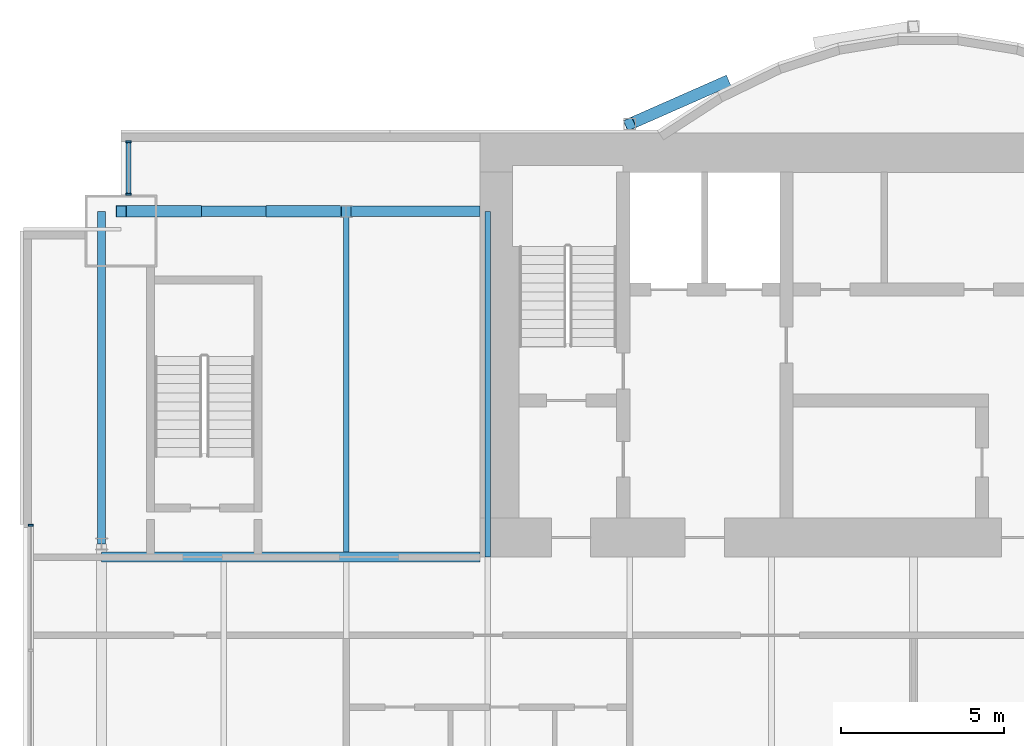
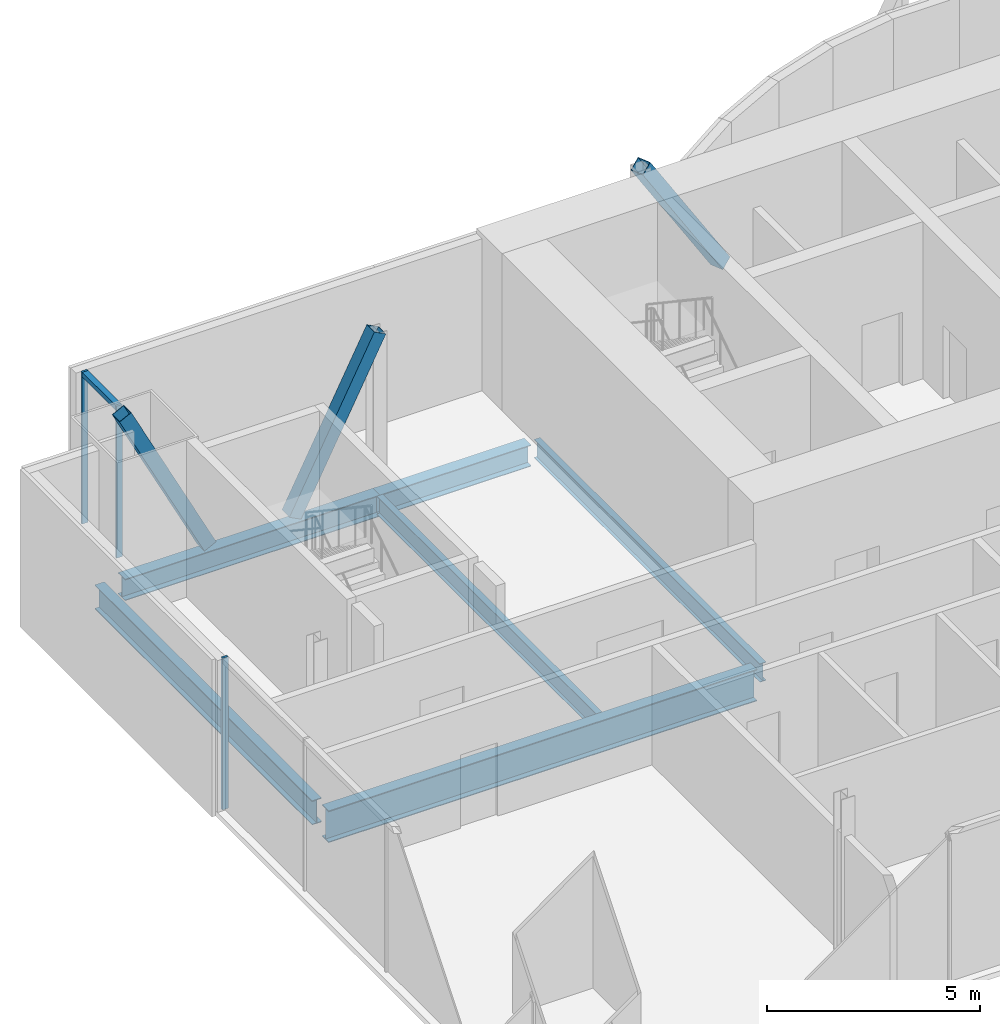
# One storey, part 7 of 18: 7 members, 6 beams, 2 elements without a shape of their own.
"""IFC4 building model written with IfcOpenShell, lengths in metres."""

from ifc_helpers import new_model, si_unit, direction, frame, origin, origin_2d, place, context, subcontext, project, spatial, rectangle, hollow_rectangle, i_section, extrude, material, material_profile, profile_set, type_object, element, aggregate, save


model = new_model("IFC4")

# Units and contexts
model_context = context("Model", 3, precision=1e-05, world=origin(), true_north=direction((0.0, 1.0)))
body_context = subcontext(model_context, "Body", "Model", "MODEL_VIEW")
ifc_project = project(units=[si_unit("LENGTHUNIT", "METRE"), si_unit("AREAUNIT", "SQUARE_METRE"), si_unit("VOLUMEUNIT", "CUBIC_METRE"), si_unit("PLANEANGLEUNIT", "RADIAN"), si_unit("MASSUNIT", "GRAM", prefix="KILO")], contexts=[model_context])

# Site, building, storey
site_placement = place(None, origin())
site = spatial("IfcSite", under=ifc_project, at=site_placement, CompositionType="ELEMENT")
building_placement = place(site_placement, origin())
building = spatial("IfcBuilding", under=site, at=building_placement, Name="Bicima Exchange Tower", CompositionType="ELEMENT")
storey_placement = place(building_placement, frame((0.0, 0.0, 302.0)))
storey = spatial("IfcBuildingStorey", under=building, at=storey_placement, Name="L68", CompositionType="ELEMENT", Elevation=302.0)

# Beam
ifc_material_1 = material(Name="Steel ASTM A992 Gr 50", Category="steel")
ifc_material_profile_1 = material_profile(ifc_material_1, i_section(OverallWidth=0.3046875, OverallDepth=0.911865234375, WebThickness=0.015869140625, FlangeThickness=0.02392578125, at=origin_2d()))
ifc_profile_set_1 = profile_set([ifc_material_profile_1], Name="Steel ASTM A992 Gr 50")
beam_type_1 = type_object("IfcBeamType", Name="Core-line girder W36x150", PredefinedType="BEAM", material=ifc_profile_set_1)
beam_1_placement = place(storey_placement, frame((-22.0, -13.0, -0.60595703125), z_axis=(-1.0, 0.0, 0.0), x_axis=(0.0, -1.0, 0.0)))
element("IfcBeam", 1, at=beam_1_placement, inside=storey, type_object=beam_type_1, Name="Core-line girder", PredefinedType="BEAM", context=body_context, shape_type="SweptSolid", body=[
    extrude(i_section(OverallWidth=0.3046875, OverallDepth=0.911865234375, WebThickness=0.015869140625, FlangeThickness=0.02392578125, at=origin_2d()), origin(), (0.0, 0.0, 1.0), 11.60009765625),
])

# Curtain wall, member
ifc_material_2 = material(Name="Anodised bronze aluminium", Category="aluminium")
curtain_wall_type_1 = type_object("IfcCurtainWallType", Name="End face glass wall", PredefinedType="NOTDEFINED", material=ifc_material_2)
curtain_wall_1_placement = place(storey_placement, origin())
curtain_wall_1 = element("IfcCurtainWall", 2, at=curtain_wall_1_placement, inside=storey, type_object=curtain_wall_type_1, Name="End face glass wall L68 run 2", PredefinedType="NOTDEFINED")
ifc_material_profile_2 = material_profile(ifc_material_2, rectangle(XDim=0.159912109375, YDim=0.06005859375, at=origin_2d()))
ifc_profile_set_2 = profile_set([ifc_material_profile_2], Name="Anodised bronze aluminium")
member_type_1 = type_object("IfcMemberType", Name="End face glass wall mullion 60 x 160", PredefinedType="MULLION", material=ifc_profile_set_2)
member_1_placement = place(storey_placement, frame((-35.77001953125, -12.030029296875, 0.0), z_axis=(0.0, 0.0, 1.0), x_axis=(1.0, 0.0, 0.0)))
member_1 = element("IfcMember", 3, at=member_1_placement, type_object=member_type_1, Name="End face glass wall mullion 1", PredefinedType="MULLION", context=body_context, shape_type="SweptSolid", body=[
    extrude(rectangle(XDim=0.159912109375, YDim=0.06005859375, at=origin_2d()), origin(), (0.0, 0.0, 1.0), 4.35009765625),
])
aggregate(curtain_wall_1, [member_1])

# Beams
ifc_material_profile_3 = material_profile(ifc_material_1, i_section(OverallWidth=0.256591796875, OverallDepth=0.693359375, WebThickness=0.014404296875, FlangeThickness=0.023681640625, at=origin_2d()))
ifc_profile_set_3 = profile_set([ifc_material_profile_3], Name="Steel ASTM A992 Gr 50")
beam_type_2 = type_object("IfcBeamType", Name="End girder W27x114", PredefinedType="BEAM", material=ifc_profile_set_3)
beam_2_placement = place(storey_placement, frame((-33.60009765625, -2.39990234375, -0.49658203125), z_axis=(0.0, -1.0, 0.0), x_axis=(1.0, 0.0, 0.0)))
element("IfcBeam", 4, at=beam_2_placement, inside=storey, type_object=beam_type_2, Name="End girder", PredefinedType="BEAM", context=body_context, shape_type="SweptSolid", body=[
    extrude(i_section(OverallWidth=0.256591796875, OverallDepth=0.693359375, WebThickness=0.014404296875, FlangeThickness=0.023681640625, at=origin_2d()), origin(), (0.0, 0.0, 1.0), 10.2001953125),
])
ifc_material_profile_4 = material_profile(ifc_material_1, i_section(OverallWidth=0.165771484375, OverallDepth=0.5283203125, WebThickness=0.009765625, FlangeThickness=0.013671875, at=origin_2d()))
ifc_profile_set_4 = profile_set([ifc_material_profile_4], Name="Steel ASTM A992 Gr 50")
beam_type_3 = type_object("IfcBeamType", Name="Floor beam W21x50", PredefinedType="JOIST", material=ifc_profile_set_4)
beam_3_placement = place(storey_placement, frame((-26.10009765625, -2.5625, -0.414306640625), z_axis=(0.0, -1.0, 0.0), x_axis=(1.0, 0.0, 0.0)))
element("IfcBeam", 5, at=beam_3_placement, inside=storey, type_object=beam_type_3, Name="Floor beam", PredefinedType="JOIST", context=body_context, shape_type="SweptSolid", body=[
    extrude(i_section(OverallWidth=0.165771484375, OverallDepth=0.5283203125, WebThickness=0.009765625, FlangeThickness=0.013671875, at=origin_2d()), origin(), (0.0, 0.0, 1.0), 10.28515625),
])
beam_4_placement = place(storey_placement, frame((-21.75, -2.39990234375, -0.414306640625), z_axis=(0.0, -1.0, 0.0), x_axis=(1.0, 0.0, 0.0)))
element("IfcBeam", 6, at=beam_4_placement, inside=storey, type_object=beam_type_3, Name="Floor beam", PredefinedType="JOIST", context=body_context, shape_type="SweptSolid", body=[
    extrude(i_section(OverallWidth=0.165771484375, OverallDepth=0.5283203125, WebThickness=0.009765625, FlangeThickness=0.013671875, at=origin_2d()), origin(), (0.0, 0.0, 1.0), 10.60009765625),
])

# Curtain wall, members
curtain_wall_type_2 = type_object("IfcCurtainWallType", Name="Front glass wall", PredefinedType="NOTDEFINED", material=ifc_material_2)
curtain_wall_2_placement = place(storey_placement, origin())
curtain_wall_2 = element("IfcCurtainWall", 7, at=curtain_wall_2_placement, inside=storey, type_object=curtain_wall_type_2, Name="Front glass wall L68 run 1", PredefinedType="NOTDEFINED")
member_type_2 = type_object("IfcMemberType", Name="Front glass wall mullion 60 x 160", PredefinedType="MULLION", material=ifc_profile_set_2)
member_2_placement = place(storey_placement, frame((-32.77001953125, -0.260009765625, 0.0), z_axis=(0.0, 0.0, 1.0), x_axis=(1.0, 0.0, 0.0)))
member_2 = element("IfcMember", 8, at=member_2_placement, type_object=member_type_2, Name="Front glass wall mullion 1", PredefinedType="MULLION", context=body_context, shape_type="SweptSolid", body=[
    extrude(rectangle(XDim=0.159912109375, YDim=0.06005859375, at=origin_2d()), origin(), (0.0, 0.0, 1.0), 4.35009765625),
])
member_3_placement = place(storey_placement, frame((-32.77001953125, -1.8701171875, 0.0), z_axis=(0.0, 0.0, 1.0), x_axis=(1.0, 0.0, 0.0)))
member_3 = element("IfcMember", 9, at=member_3_placement, type_object=member_type_2, Name="Front glass wall mullion 2", PredefinedType="MULLION", context=body_context, shape_type="SweptSolid", body=[
    extrude(rectangle(XDim=0.159912109375, YDim=0.06005859375, at=origin_2d()), origin(), (0.0, 0.0, 1.0), 4.35009765625),
])
ifc_material_profile_5 = material_profile(ifc_material_2, rectangle(XDim=0.159912109375, YDim=0.139892578125, at=origin_2d()))
ifc_profile_set_5 = profile_set([ifc_material_profile_5], Name="Anodised bronze aluminium")
member_type_3 = type_object("IfcMemberType", Name="Front glass wall transom 140 x 160", PredefinedType="USERDEFINED", material=ifc_profile_set_5)
member_4_placement = place(storey_placement, frame((-32.77001953125, -0.2900390625, 4.280029296875), z_axis=(0.0, -1.0, 0.0), x_axis=(1.0, 0.0, 0.0)))
member_4 = element("IfcMember", 10, at=member_4_placement, type_object=member_type_3, Name="Front glass wall transom 1.1", ObjectType="TRANSOM", PredefinedType="USERDEFINED", context=body_context, shape_type="SweptSolid", body=[
    extrude(rectangle(XDim=0.159912109375, YDim=0.139892578125, at=origin_2d()), origin(), (0.0, 0.0, 1.0), 1.550048828125),
])
aggregate(curtain_wall_2, [member_2, member_3, member_4])

# Members
ifc_material_3 = material(Name="Steel ASTM A572 Gr 50", Category="steel")
ifc_material_profile_6 = material_profile(ifc_material_3, hollow_rectangle(XDim=0.355712890625, YDim=0.355712890625, WallThickness=0.01171875, at=origin_2d()))
ifc_profile_set_6 = profile_set([ifc_material_profile_6], Name="Steel ASTM A572 Gr 50")
member_type_4 = type_object("IfcMemberType", Name="Mega brace HSS14x14x1/2", PredefinedType="BRACE", material=ifc_profile_set_6)
member_5_placement = place(storey_placement, frame((-14.5, 1.55615234375, 0.0), z_axis=(-0.526881390073, -0.232212836928, 0.817602103202), x_axis=(0.403298774981, -0.915068357063, 0.0)))
element("IfcMember", 11, at=member_5_placement, inside=storey, type_object=member_type_4, Name="Mega brace rexo", PredefinedType="BRACE", context=body_context, shape_type="SweptSolid", body=[
    extrude(hollow_rectangle(XDim=0.355712890625, YDim=0.355712890625, WallThickness=0.01171875, at=origin_2d()), origin(), (0.0, 0.0, 1.0), 5.50390625),
])
for number, where, z_axis, x_axis, name in (
    (12, (-28.39990234375, -2.39990234375, 0.0), (0.455080416514, 0.0, 0.89045034365), (0.0, 1.0, 0.0), "Mega brace rear"),
    (13, (-30.699951171875, -2.39990234375, 0.0), (-0.455118720355, 0.0, 0.890430766754), (0.0, -1.0, 0.0), "Mega brace rear"),
):
    element("IfcMember", number, at=place(storey_placement, frame(where, z_axis=z_axis, x_axis=x_axis)), inside=storey, type_object=member_type_4, Name=name, PredefinedType="BRACE", context=body_context, shape_type="SweptSolid", body=[
        extrude(hollow_rectangle(XDim=0.355712890625, YDim=0.355712890625, WallThickness=0.01171875, at=origin_2d()), origin(), (0.0, 0.0, 1.0), 5.0537109375),
    ])

# Beams
ifc_material_profile_7 = material_profile(ifc_material_1, i_section(OverallWidth=0.3251953125, OverallDepth=0.612060546875, WebThickness=0.0126953125, FlangeThickness=0.01904296875, at=origin_2d()))
ifc_profile_set_7 = profile_set([ifc_material_profile_7], Name="Steel ASTM A992 Gr 50")
beam_type_4 = type_object("IfcBeamType", Name="Rear girder W24x104", PredefinedType="BEAM", material=ifc_profile_set_7)
beam_5_placement = place(storey_placement, frame((-22.0, -2.39990234375, -0.4560546875), z_axis=(-1.0, 0.0, 0.0), x_axis=(0.0, -1.0, 0.0)))
element("IfcBeam", 14, at=beam_5_placement, inside=storey, type_object=beam_type_4, Name="Rear girder", PredefinedType="BEAM", context=body_context, shape_type="SweptSolid", body=[
    extrude(i_section(OverallWidth=0.3251953125, OverallDepth=0.612060546875, WebThickness=0.0126953125, FlangeThickness=0.01904296875, at=origin_2d()), origin(), (0.0, 0.0, 1.0), 4.10009765625),
])
beam_6_placement = place(storey_placement, frame((-26.10009765625, -2.39990234375, -0.4560546875), z_axis=(-1.0, 0.0, 0.0), x_axis=(0.0, -1.0, 0.0)))
element("IfcBeam", 15, at=beam_6_placement, inside=storey, type_object=beam_type_4, Name="Rear girder", PredefinedType="BEAM", context=body_context, shape_type="SweptSolid", body=[
    extrude(i_section(OverallWidth=0.3251953125, OverallDepth=0.612060546875, WebThickness=0.0126953125, FlangeThickness=0.01904296875, at=origin_2d()), origin(), (0.0, 0.0, 1.0), 6.89990234375),
])

save(model, "model.ifc")
